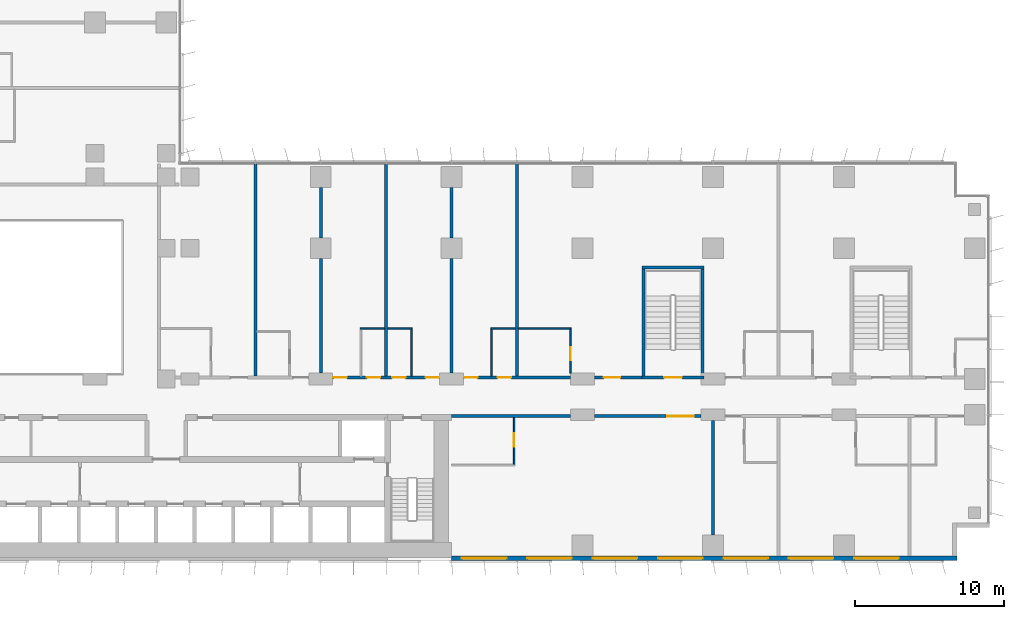
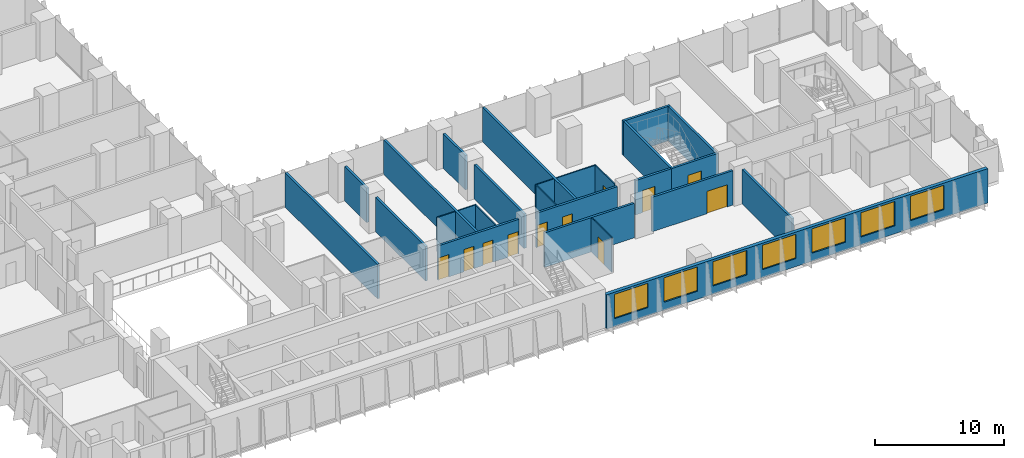
# One storey, part 14 of 23: 26 walls, 11 doors, 7 windows, 18 openings.
"""IFC4 building model written with IfcOpenShell, lengths in metres."""

from ifc_helpers import new_model, si_unit, direction, frame, frame_2d, origin, place, context, subcontext, project, spatial, rectangle, extrude, material, layer, layer_set, type_object, element, fill, save


model = new_model("IFC4")

# Units and contexts
model_context = context("Model", 3, precision=1e-05, world=origin(), true_north=direction((0.0, 1.0)))
body_context = subcontext(model_context, "Body", "Model", "MODEL_VIEW")
ifc_project = project(units=[si_unit("LENGTHUNIT", "METRE"), si_unit("AREAUNIT", "SQUARE_METRE"), si_unit("VOLUMEUNIT", "CUBIC_METRE"), si_unit("PLANEANGLEUNIT", "RADIAN"), si_unit("MASSUNIT", "GRAM", prefix="KILO")], contexts=[model_context])

# Site, building, storey
site_placement = place(None, origin())
site = spatial("IfcSite", under=ifc_project, at=site_placement, CompositionType="ELEMENT")
building_placement = place(site_placement, origin())
building = spatial("IfcBuilding", under=site, at=building_placement, Name="Kemantara Hotel Tower", CompositionType="ELEMENT")
storey_placement = place(building_placement, frame((0.0, 0.0, 67.300048828125)))
storey = spatial("IfcBuildingStorey", under=building, at=storey_placement, Name="L15", CompositionType="ELEMENT", Elevation=67.300048828125)

# Wall, openings, windows
ifc_material_1 = material(Name="Bronze anodised aluminium cladding on insulated steel stud wall", Category="steel")
ifc_layer_1 = layer(ifc_material_1, 0.300048828125)
ifc_layer_set_1 = layer_set([ifc_layer_1], Name="Bronze anodised aluminium cladding on insulated steel stud wall")
wall_type_1 = type_object("IfcWallType", Name="BRONZE METAL-CLAD EXTERNAL WALL 300", PredefinedType="STANDARD", material=ifc_layer_set_1)
wall_1_placement = place(storey_placement, frame((45.0, 0.14990234375, 0.0), z_axis=(0.0, 0.0, 1.0), x_axis=(1.0, 0.0, 0.0)))
wall_1 = element("IfcWall", 1, at=wall_1_placement, inside=storey, type_object=wall_type_1, Name="EXTERNAL WALL L15 T1-R01-3", PredefinedType="STANDARD", context=body_context, shape_type="SweptSolid", body=[
    extrude(rectangle(XDim=34.0, YDim=0.300048828125, at=frame_2d((17.0, 0.0))), origin(), (0.0, 0.0, 1.0), 3.25),
])
opening_1_placement = place(wall_1_placement, frame((0.699951171875, 0.0, 0.75)))
opening_1 = element("IfcOpeningElement", 2, at=opening_1_placement, cuts=wall_1, Name="Opening W1", PredefinedType="OPENING", context=body_context, shape_type="SweptSolid", body=[
    extrude(rectangle(XDim=3.0, YDim=2.300048828125, at=frame_2d((1.5, 1.14990234375))), frame((0.0, 0.159912109375, 0.0), z_axis=(0.0, -1.0, 0.0), x_axis=(1.0, 0.0, 0.0)), (0.0, 0.0, 1.0), 0.320068359375),
])
opening_2_placement = place(wall_1_placement, frame((5.10009765625, 0.0, 0.75)))
opening_2 = element("IfcOpeningElement", 3, at=opening_2_placement, cuts=wall_1, Name="Opening W1", PredefinedType="OPENING", context=body_context, shape_type="SweptSolid", body=[
    extrude(rectangle(XDim=3.0, YDim=2.300048828125, at=frame_2d((1.5, 1.14990234375))), frame((0.0, 0.159912109375, 0.0), z_axis=(0.0, -1.0, 0.0), x_axis=(1.0, 0.0, 0.0)), (0.0, 0.0, 1.0), 0.320068359375),
])
opening_3_placement = place(wall_1_placement, frame((9.5, 0.0, 0.75)))
opening_3 = element("IfcOpeningElement", 4, at=opening_3_placement, cuts=wall_1, Name="Opening W1", PredefinedType="OPENING", context=body_context, shape_type="SweptSolid", body=[
    extrude(rectangle(XDim=3.0, YDim=2.300048828125, at=frame_2d((1.5, 1.14990234375))), frame((0.0, 0.159912109375, 0.0), z_axis=(0.0, -1.0, 0.0), x_axis=(1.0, 0.0, 0.0)), (0.0, 0.0, 1.0), 0.320068359375),
])
opening_4_placement = place(wall_1_placement, frame((13.89990234375, 0.0, 0.75)))
opening_4 = element("IfcOpeningElement", 5, at=opening_4_placement, cuts=wall_1, Name="Opening W1", PredefinedType="OPENING", context=body_context, shape_type="SweptSolid", body=[
    extrude(rectangle(XDim=3.0, YDim=2.300048828125, at=frame_2d((1.5, 1.14990234375))), frame((0.0, 0.159912109375, 0.0), z_axis=(0.0, -1.0, 0.0), x_axis=(1.0, 0.0, 0.0)), (0.0, 0.0, 1.0), 0.320068359375),
])
opening_5_placement = place(wall_1_placement, frame((18.300048828125, 0.0, 0.75)))
opening_5 = element("IfcOpeningElement", 6, at=opening_5_placement, cuts=wall_1, Name="Opening W1", PredefinedType="OPENING", context=body_context, shape_type="SweptSolid", body=[
    extrude(rectangle(XDim=3.0, YDim=2.300048828125, at=frame_2d((1.5, 1.14990234375))), frame((0.0, 0.159912109375, 0.0), z_axis=(0.0, -1.0, 0.0), x_axis=(1.0, 0.0, 0.0)), (0.0, 0.0, 1.0), 0.320068359375),
])
opening_6_placement = place(wall_1_placement, frame((22.699951171875, 0.0, 0.75)))
opening_6 = element("IfcOpeningElement", 7, at=opening_6_placement, cuts=wall_1, Name="Opening W1", PredefinedType="OPENING", context=body_context, shape_type="SweptSolid", body=[
    extrude(rectangle(XDim=3.0, YDim=2.300048828125, at=frame_2d((1.5, 1.14990234375))), frame((0.0, 0.159912109375, 0.0), z_axis=(0.0, -1.0, 0.0), x_axis=(1.0, 0.0, 0.0)), (0.0, 0.0, 1.0), 0.320068359375),
])
opening_7_placement = place(wall_1_placement, frame((27.10009765625, 0.0, 0.75)))
opening_7 = element("IfcOpeningElement", 8, at=opening_7_placement, cuts=wall_1, Name="Opening W1", PredefinedType="OPENING", context=body_context, shape_type="SweptSolid", body=[
    extrude(rectangle(XDim=3.0, YDim=2.300048828125, at=frame_2d((1.5, 1.14990234375))), frame((0.0, 0.159912109375, 0.0), z_axis=(0.0, -1.0, 0.0), x_axis=(1.0, 0.0, 0.0)), (0.0, 0.0, 1.0), 0.320068359375),
])
ifc_material_2 = material(Name="Low-E tinted double insulated glass in bronze anodised aluminium frame", Category="aluminium")
window_type = type_object("IfcWindowType", Name="CHICAGO WINDOW, TRIPLE PANEL 3000x2300", PartitioningType="TRIPLE_PANEL_VERTICAL", PredefinedType="WINDOW", material=ifc_material_2)
window_1_placement = place(opening_1_placement, origin())
window_1 = element("IfcWindow", 9, at=window_1_placement, inside=storey, type_object=window_type, Name="CHICAGO WINDOW L15 T1-R01-450", OverallHeight=2.300048828125, OverallWidth=3.0, PartitioningType="SINGLE_PANEL", PredefinedType="WINDOW", context=body_context, shape_type="SweptSolid", body=[
    extrude(rectangle(XDim=3.0, YDim=2.300048828125, at=frame_2d((1.5, 1.14990234375))), frame((0.0, 0.030029296875, 0.0), z_axis=(0.0, -1.0, 0.0), x_axis=(1.0, 0.0, 0.0)), (0.0, 0.0, 1.0), 0.06005859375),
])
fill(opening_1, window_1)
window_2_placement = place(opening_2_placement, origin())
window_2 = element("IfcWindow", 10, at=window_2_placement, inside=storey, type_object=window_type, Name="CHICAGO WINDOW L15 T1-R01-494", OverallHeight=2.300048828125, OverallWidth=3.0, PartitioningType="SINGLE_PANEL", PredefinedType="WINDOW", context=body_context, shape_type="SweptSolid", body=[
    extrude(rectangle(XDim=3.0, YDim=2.300048828125, at=frame_2d((1.5, 1.14990234375))), frame((0.0, 0.030029296875, 0.0), z_axis=(0.0, -1.0, 0.0), x_axis=(1.0, 0.0, 0.0)), (0.0, 0.0, 1.0), 0.06005859375),
])
fill(opening_2, window_2)
window_3_placement = place(opening_3_placement, origin())
window_3 = element("IfcWindow", 11, at=window_3_placement, inside=storey, type_object=window_type, Name="CHICAGO WINDOW L15 T1-R01-538", OverallHeight=2.300048828125, OverallWidth=3.0, PartitioningType="SINGLE_PANEL", PredefinedType="WINDOW", context=body_context, shape_type="SweptSolid", body=[
    extrude(rectangle(XDim=3.0, YDim=2.300048828125, at=frame_2d((1.5, 1.14990234375))), frame((0.0, 0.030029296875, 0.0), z_axis=(0.0, -1.0, 0.0), x_axis=(1.0, 0.0, 0.0)), (0.0, 0.0, 1.0), 0.06005859375),
])
fill(opening_3, window_3)
window_4_placement = place(opening_4_placement, origin())
window_4 = element("IfcWindow", 12, at=window_4_placement, inside=storey, type_object=window_type, Name="CHICAGO WINDOW L15 T1-R01-582", OverallHeight=2.300048828125, OverallWidth=3.0, PartitioningType="SINGLE_PANEL", PredefinedType="WINDOW", context=body_context, shape_type="SweptSolid", body=[
    extrude(rectangle(XDim=3.0, YDim=2.300048828125, at=frame_2d((1.5, 1.14990234375))), frame((0.0, 0.030029296875, 0.0), z_axis=(0.0, -1.0, 0.0), x_axis=(1.0, 0.0, 0.0)), (0.0, 0.0, 1.0), 0.06005859375),
])
fill(opening_4, window_4)
window_5_placement = place(opening_5_placement, origin())
window_5 = element("IfcWindow", 13, at=window_5_placement, inside=storey, type_object=window_type, Name="CHICAGO WINDOW L15 T1-R01-626", OverallHeight=2.300048828125, OverallWidth=3.0, PartitioningType="SINGLE_PANEL", PredefinedType="WINDOW", context=body_context, shape_type="SweptSolid", body=[
    extrude(rectangle(XDim=3.0, YDim=2.300048828125, at=frame_2d((1.5, 1.14990234375))), frame((0.0, 0.030029296875, 0.0), z_axis=(0.0, -1.0, 0.0), x_axis=(1.0, 0.0, 0.0)), (0.0, 0.0, 1.0), 0.06005859375),
])
fill(opening_5, window_5)
window_6_placement = place(opening_6_placement, origin())
window_6 = element("IfcWindow", 14, at=window_6_placement, inside=storey, type_object=window_type, Name="CHICAGO WINDOW L15 T1-R01-670", OverallHeight=2.300048828125, OverallWidth=3.0, PartitioningType="SINGLE_PANEL", PredefinedType="WINDOW", context=body_context, shape_type="SweptSolid", body=[
    extrude(rectangle(XDim=3.0, YDim=2.300048828125, at=frame_2d((1.5, 1.14990234375))), frame((0.0, 0.030029296875, 0.0), z_axis=(0.0, -1.0, 0.0), x_axis=(1.0, 0.0, 0.0)), (0.0, 0.0, 1.0), 0.06005859375),
])
fill(opening_6, window_6)
window_7_placement = place(opening_7_placement, origin())
window_7 = element("IfcWindow", 15, at=window_7_placement, inside=storey, type_object=window_type, Name="CHICAGO WINDOW L15 T1-R01-714", OverallHeight=2.300048828125, OverallWidth=3.0, PartitioningType="SINGLE_PANEL", PredefinedType="WINDOW", context=body_context, shape_type="SweptSolid", body=[
    extrude(rectangle(XDim=3.0, YDim=2.300048828125, at=frame_2d((1.5, 1.14990234375))), frame((0.0, 0.030029296875, 0.0), z_axis=(0.0, -1.0, 0.0), x_axis=(1.0, 0.0, 0.0)), (0.0, 0.0, 1.0), 0.06005859375),
])
fill(opening_7, window_7)

# Wall
ifc_material_3 = material(Name="Gypsum board partition, steel studs and mineral wool, 200 mm", Category="steel")
ifc_layer_2 = layer(ifc_material_3, 0.199951171875)
ifc_layer_set_2 = layer_set([ifc_layer_2], Name="Gypsum board partition, steel studs and mineral wool, 200 mm")
wall_type_2 = type_object("IfcWallType", Name="CORRIDOR WALL 200", PredefinedType="PARTITIONING", material=ifc_layer_set_2)
wall_2_placement = place(storey_placement, frame((45.0, 9.699951171875, 0.0), z_axis=(0.0, 0.0, 1.0), x_axis=(1.0, 0.0, 0.0)))
element("IfcWall", 16, at=wall_2_placement, inside=storey, type_object=wall_type_2, Name="CORRIDOR WALL 200 001", PredefinedType="PARTITIONING", context=body_context, shape_type="SweptSolid", body=[
    extrude(rectangle(XDim=8.0, YDim=0.199951171875, at=frame_2d((4.0, 0.0))), origin(), (0.0, 0.0, 1.0), 3.25),
])

# Wall, opening, door
wall_3_placement = place(storey_placement, frame((61.7998046875, 9.699951171875, 0.0), z_axis=(0.0, 0.0, 1.0), x_axis=(-1.0, 0.0, 0.0)))
wall_3 = element("IfcWall", 17, at=wall_3_placement, inside=storey, type_object=wall_type_2, Name="CORRIDOR WALL 200 002", PredefinedType="PARTITIONING", context=body_context, shape_type="SweptSolid", body=[
    extrude(rectangle(XDim=7.19970703125, YDim=0.199951171875, at=frame_2d((3.599853515625, 0.0))), origin(), (0.0, 0.0, 1.0), 3.25),
])
opening_8_placement = place(wall_3_placement, frame((0.5, 0.0, 0.0)))
opening_8 = element("IfcOpeningElement", 18, at=opening_8_placement, cuts=wall_3, Name="Opening F05-001", PredefinedType="OPENING", context=body_context, shape_type="SweptSolid", body=[
    extrude(rectangle(XDim=1.800048828125, YDim=2.10009765625, at=frame_2d((0.89990234375, 1.050048828125))), frame((0.0, 0.10986328125, 0.0), z_axis=(0.0, -1.0, 0.0), x_axis=(1.0, 0.0, 0.0)), (0.0, 0.0, 1.0), 0.219970703125),
])
ifc_material_4 = material(Name="Hardwood veneer door leaf with steel frame", Category="steel")
door_type_1 = type_object("IfcDoorType", Name="AMENITY ROOM DOOR 1800 X 2100 FD30S", OperationType="NOTDEFINED", PredefinedType="DOOR", material=ifc_material_4)
door_1_placement = place(opening_8_placement, origin())
door_1 = element("IfcDoor", 19, at=door_1_placement, inside=storey, type_object=door_type_1, Name="AMENITY ROOM DOOR F05-001", OperationType="DOUBLE_DOOR_SINGLE_SWING", OverallHeight=2.10009765625, OverallWidth=1.800048828125, PredefinedType="DOOR", context=body_context, shape_type="SweptSolid", body=[
    extrude(rectangle(XDim=1.800048828125, YDim=2.10009765625, at=frame_2d((0.89990234375, 1.050048828125))), frame((0.0, 0.02490234375, 0.0), z_axis=(0.0, -1.0, 0.0), x_axis=(1.0, 0.0, 0.0)), (0.0, 0.0, 1.0), 0.050048828125),
])
fill(opening_8, door_1)

# Wall, openings, doors
wall_4_placement = place(storey_placement, frame((37.0, 12.300048828125, 0.0), z_axis=(0.0, 0.0, 1.0), x_axis=(1.0, 0.0, 0.0)))
wall_4 = element("IfcWall", 20, at=wall_4_placement, inside=storey, type_object=wall_type_2, Name="CORRIDOR WALL 200 011", PredefinedType="PARTITIONING", context=body_context, shape_type="SweptSolid", body=[
    extrude(rectangle(XDim=7.199951171875, YDim=0.199951171875, at=frame_2d((3.60009765625, 0.0))), origin(), (0.0, 0.0, 1.0), 3.25),
])
opening_9_placement = place(wall_4_placement, frame((0.0498046875, 0.0, 0.0)))
opening_9 = element("IfcOpeningElement", 21, at=opening_9_placement, cuts=wall_4, Name="Opening F05-013", PredefinedType="OPENING", context=body_context, shape_type="SweptSolid", body=[
    extrude(rectangle(XDim=0.89990234375, YDim=2.10009765625, at=frame_2d((0.449951171875, 1.050048828125))), frame((0.0, 0.10986328125, 0.0), z_axis=(0.0, -1.0, 0.0), x_axis=(1.0, 0.0, 0.0)), (0.0, 0.0, 1.0), 0.219970703125),
])
opening_10_placement = place(wall_4_placement, frame((2.2998046875, 0.0, 0.0)))
opening_10 = element("IfcOpeningElement", 22, at=opening_10_placement, cuts=wall_4, Name="Opening F05-014", PredefinedType="OPENING", context=body_context, shape_type="SweptSolid", body=[
    extrude(rectangle(XDim=0.89990234375, YDim=2.10009765625, at=frame_2d((0.449951171875, 1.050048828125))), frame((0.0, 0.10986328125, 0.0), z_axis=(0.0, -1.0, 0.0), x_axis=(1.0, 0.0, 0.0)), (0.0, 0.0, 1.0), 0.219970703125),
])
opening_11_placement = place(wall_4_placement, frame((6.25, 0.0, 0.0)))
opening_11 = element("IfcOpeningElement", 23, at=opening_11_placement, cuts=wall_4, Name="Opening F05-015", PredefinedType="OPENING", context=body_context, shape_type="SweptSolid", body=[
    extrude(rectangle(XDim=0.89990234375, YDim=2.10009765625, at=frame_2d((0.449951171875, 1.050048828125))), frame((0.0, 0.10986328125, 0.0), z_axis=(0.0, -1.0, 0.0), x_axis=(1.0, 0.0, 0.0)), (0.0, 0.0, 1.0), 0.219970703125),
])
opening_12_placement = place(wall_4_placement, frame((4.0, 0.0, 0.0)))
opening_12 = element("IfcOpeningElement", 24, at=opening_12_placement, cuts=wall_4, Name="Opening F05-016", PredefinedType="OPENING", context=body_context, shape_type="SweptSolid", body=[
    extrude(rectangle(XDim=0.89990234375, YDim=2.10009765625, at=frame_2d((0.449951171875, 1.050048828125))), frame((0.0, 0.10986328125, 0.0), z_axis=(0.0, -1.0, 0.0), x_axis=(1.0, 0.0, 0.0)), (0.0, 0.0, 1.0), 0.219970703125),
])
ifc_material_5 = material(Name="Steel door leaf with steel frame", Category="steel")
door_type_2 = type_object("IfcDoorType", Name="SERVICE ROOM DOOR 900 X 2100 FD60", OperationType="NOTDEFINED", PredefinedType="DOOR", material=ifc_material_5)
door_2_placement = place(opening_9_placement, origin())
door_2 = element("IfcDoor", 25, at=door_2_placement, inside=storey, type_object=door_type_2, Name="SERVICE ROOM DOOR F05-013", OperationType="SINGLE_SWING_LEFT", OverallHeight=2.10009765625, OverallWidth=0.89990234375, PredefinedType="DOOR", context=body_context, shape_type="SweptSolid", body=[
    extrude(rectangle(XDim=0.89990234375, YDim=2.10009765625, at=frame_2d((0.449951171875, 1.050048828125))), frame((0.0, 0.02490234375, 0.0), z_axis=(0.0, -1.0, 0.0), x_axis=(1.0, 0.0, 0.0)), (0.0, 0.0, 1.0), 0.050048828125),
])
fill(opening_9, door_2)
door_3_placement = place(opening_10_placement, origin())
door_3 = element("IfcDoor", 26, at=door_3_placement, inside=storey, type_object=door_type_2, Name="SERVICE ROOM DOOR F05-014", OperationType="SINGLE_SWING_RIGHT", OverallHeight=2.10009765625, OverallWidth=0.89990234375, PredefinedType="DOOR", context=body_context, shape_type="SweptSolid", body=[
    extrude(rectangle(XDim=0.89990234375, YDim=2.10009765625, at=frame_2d((0.449951171875, 1.050048828125))), frame((0.0, 0.02490234375, 0.0), z_axis=(0.0, -1.0, 0.0), x_axis=(1.0, 0.0, 0.0)), (0.0, 0.0, 1.0), 0.050048828125),
])
fill(opening_10, door_3)
door_4_placement = place(opening_11_placement, origin())
door_4 = element("IfcDoor", 27, at=door_4_placement, inside=storey, type_object=door_type_2, Name="SERVICE ROOM DOOR F05-015", OperationType="SINGLE_SWING_RIGHT", OverallHeight=2.10009765625, OverallWidth=0.89990234375, PredefinedType="DOOR", context=body_context, shape_type="SweptSolid", body=[
    extrude(rectangle(XDim=0.89990234375, YDim=2.10009765625, at=frame_2d((0.449951171875, 1.050048828125))), frame((0.0, 0.02490234375, 0.0), z_axis=(0.0, -1.0, 0.0), x_axis=(1.0, 0.0, 0.0)), (0.0, 0.0, 1.0), 0.050048828125),
])
fill(opening_11, door_4)
door_5_placement = place(opening_12_placement, origin())
door_5 = element("IfcDoor", 28, at=door_5_placement, inside=storey, type_object=door_type_2, Name="SERVICE ROOM DOOR F05-016", OperationType="SINGLE_SWING_LEFT", OverallHeight=2.10009765625, OverallWidth=0.89990234375, PredefinedType="DOOR", context=body_context, shape_type="SweptSolid", body=[
    extrude(rectangle(XDim=0.89990234375, YDim=2.10009765625, at=frame_2d((0.449951171875, 1.050048828125))), frame((0.0, 0.02490234375, 0.0), z_axis=(0.0, -1.0, 0.0), x_axis=(1.0, 0.0, 0.0)), (0.0, 0.0, 1.0), 0.050048828125),
])
fill(opening_12, door_5)

wall_5_placement = place(storey_placement, frame((45.800048828125, 12.300048828125, 0.0), z_axis=(0.0, 0.0, 1.0), x_axis=(1.0, 0.0, 0.0)))
wall_5 = element("IfcWall", 29, at=wall_5_placement, inside=storey, type_object=wall_type_2, Name="CORRIDOR WALL 200 012", PredefinedType="PARTITIONING", context=body_context, shape_type="SweptSolid", body=[
    extrude(rectangle(XDim=7.199951171875, YDim=0.199951171875, at=frame_2d((3.60009765625, 0.0))), origin(), (0.0, 0.0, 1.0), 3.25),
])
opening_13_placement = place(wall_5_placement, frame((0.0498046875, 0.0, 0.0)))
opening_13 = element("IfcOpeningElement", 30, at=opening_13_placement, cuts=wall_5, Name="Opening F05-017", PredefinedType="OPENING", context=body_context, shape_type="SweptSolid", body=[
    extrude(rectangle(XDim=0.89990234375, YDim=2.10009765625, at=frame_2d((0.449951171875, 1.050048828125))), frame((0.0, 0.10986328125, 0.0), z_axis=(0.0, -1.0, 0.0), x_axis=(1.0, 0.0, 0.0)), (0.0, 0.0, 1.0), 0.219970703125),
])
opening_14_placement = place(wall_5_placement, frame((2.2998046875, 0.0, 0.0)))
opening_14 = element("IfcOpeningElement", 31, at=opening_14_placement, cuts=wall_5, Name="Opening F05-018", PredefinedType="OPENING", context=body_context, shape_type="SweptSolid", body=[
    extrude(rectangle(XDim=0.89990234375, YDim=2.10009765625, at=frame_2d((0.449951171875, 1.050048828125))), frame((0.0, 0.10986328125, 0.0), z_axis=(0.0, -1.0, 0.0), x_axis=(1.0, 0.0, 0.0)), (0.0, 0.0, 1.0), 0.219970703125),
])
door_6_placement = place(opening_13_placement, origin())
door_6 = element("IfcDoor", 32, at=door_6_placement, inside=storey, type_object=door_type_2, Name="SERVICE ROOM DOOR F05-017", OperationType="SINGLE_SWING_LEFT", OverallHeight=2.10009765625, OverallWidth=0.89990234375, PredefinedType="DOOR", context=body_context, shape_type="SweptSolid", body=[
    extrude(rectangle(XDim=0.89990234375, YDim=2.10009765625, at=frame_2d((0.449951171875, 1.050048828125))), frame((0.0, 0.02490234375, 0.0), z_axis=(0.0, -1.0, 0.0), x_axis=(1.0, 0.0, 0.0)), (0.0, 0.0, 1.0), 0.050048828125),
])
fill(opening_13, door_6)
door_7_placement = place(opening_14_placement, origin())
door_7 = element("IfcDoor", 33, at=door_7_placement, inside=storey, type_object=door_type_2, Name="SERVICE ROOM DOOR F05-018", OperationType="SINGLE_SWING_RIGHT", OverallHeight=2.10009765625, OverallWidth=0.89990234375, PredefinedType="DOOR", context=body_context, shape_type="SweptSolid", body=[
    extrude(rectangle(XDim=0.89990234375, YDim=2.10009765625, at=frame_2d((0.449951171875, 1.050048828125))), frame((0.0, 0.02490234375, 0.0), z_axis=(0.0, -1.0, 0.0), x_axis=(1.0, 0.0, 0.0)), (0.0, 0.0, 1.0), 0.050048828125),
])
fill(opening_14, door_7)

# Wall, opening, door
wall_6_placement = place(storey_placement, frame((54.60009765625, 12.300048828125, 0.0), z_axis=(0.0, 0.0, 1.0), x_axis=(1.0, 0.0, 0.0)))
wall_6 = element("IfcWall", 34, at=wall_6_placement, inside=storey, type_object=wall_type_2, Name="CORRIDOR WALL 200 013", PredefinedType="PARTITIONING", context=body_context, shape_type="SweptSolid", body=[
    extrude(rectangle(XDim=3.199951171875, YDim=0.199951171875, at=frame_2d((1.60009765625, 0.0))), origin(), (0.0, 0.0, 1.0), 3.25),
])
opening_15_placement = place(wall_6_placement, frame((0.64990234375, 0.0, 0.0)))
opening_15 = element("IfcOpeningElement", 35, at=opening_15_placement, cuts=wall_6, Name="Opening F05-019", PredefinedType="OPENING", context=body_context, shape_type="SweptSolid", body=[
    extrude(rectangle(XDim=1.10009765625, YDim=2.10009765625, at=frame_2d((0.550048828125, 1.050048828125))), frame((0.0, 0.10986328125, 0.0), z_axis=(0.0, -1.0, 0.0), x_axis=(1.0, 0.0, 0.0)), (0.0, 0.0, 1.0), 0.219970703125),
])
door_type_3 = type_object("IfcDoorType", Name="SUITE ENTRANCE DOOR 1100 X 2100 FD30S", OperationType="NOTDEFINED", PredefinedType="DOOR", material=ifc_material_4)
door_8_placement = place(opening_15_placement, origin())
door_8 = element("IfcDoor", 36, at=door_8_placement, inside=storey, type_object=door_type_3, Name="SUITE ENTRANCE DOOR F05-019", OperationType="SINGLE_SWING_RIGHT", OverallHeight=2.10009765625, OverallWidth=1.10009765625, PredefinedType="DOOR", context=body_context, shape_type="SweptSolid", body=[
    extrude(rectangle(XDim=1.10009765625, YDim=2.10009765625, at=frame_2d((0.550048828125, 1.050048828125))), frame((0.0, 0.02490234375, 0.0), z_axis=(0.0, -1.0, 0.0), x_axis=(1.0, 0.0, 0.0)), (0.0, 0.0, 1.0), 0.050048828125),
])
fill(opening_15, door_8)

ifc_material_6 = material(Name="Concrete fc 40 MPa", Category="concrete")
ifc_layer_3 = layer(ifc_material_6, 0.199951171875)
ifc_layer_set_3 = layer_set([ifc_layer_3], Name="Concrete fc 40 MPa")
wall_type_3 = type_object("IfcWallType", Name="Concrete stair wall 200 mm", PredefinedType="SHEAR", material=ifc_layer_set_3)
wall_7_placement = place(storey_placement, frame((57.800048828125, 12.300048828125, 0.0), z_axis=(0.0, 0.0, 1.0), x_axis=(1.0, 0.0, 0.0)))
wall_7 = element("IfcWall", 37, at=wall_7_placement, inside=storey, type_object=wall_type_3, Name="Stair ST3 enclosure wall with door", PredefinedType="SHEAR", context=body_context, shape_type="SweptSolid", body=[
    extrude(rectangle(XDim=4.199951171875, YDim=0.199951171875, at=frame_2d((2.10009765625, 0.0))), origin(), (0.0, 0.0, 1.0), 3.25),
])
opening_16_placement = place(wall_7_placement, frame((1.5, 0.0, 0.0)))
opening_16 = element("IfcOpeningElement", 38, at=opening_16_placement, cuts=wall_7, Name="Opening ST3-C", PredefinedType="OPENING", context=body_context, shape_type="SweptSolid", body=[
    extrude(rectangle(XDim=1.199951171875, YDim=2.10009765625, at=frame_2d((0.60009765625, 1.050048828125))), frame((0.0, 0.10986328125, 0.0), z_axis=(0.0, -1.0, 0.0), x_axis=(1.0, 0.0, 0.0)), (0.0, 0.0, 1.0), 0.219970703125),
])
ifc_material_7 = material(Name="Steel fire door", Category="steel")
door_type_4 = type_object("IfcDoorType", Name="Fire door FD90 1200 x 2100", OperationType="NOTDEFINED", PredefinedType="DOOR", material=ifc_material_7)
door_9_placement = place(opening_16_placement, origin())
door_9 = element("IfcDoor", 39, at=door_9_placement, inside=storey, type_object=door_type_4, Name="Stair ST3 door", OperationType="SINGLE_SWING_RIGHT", OverallHeight=2.10009765625, OverallWidth=1.199951171875, PredefinedType="DOOR", context=body_context, shape_type="SweptSolid", body=[
    extrude(rectangle(XDim=1.199951171875, YDim=2.10009765625, at=frame_2d((0.60009765625, 1.050048828125))), frame((0.0, 0.02490234375, 0.0), z_axis=(0.0, -1.0, 0.0), x_axis=(1.0, 0.0, 0.0)), (0.0, 0.0, 1.0), 0.050048828125),
])
fill(opening_16, door_9)

# Walls
wall_8_placement = place(storey_placement, frame((57.800048828125, 19.699951171875, 0.0), z_axis=(0.0, 0.0, 1.0), x_axis=(1.0, 0.0, 0.0)))
element("IfcWall", 40, at=wall_8_placement, inside=storey, type_object=wall_type_3, Name="Stair ST3 enclosure wall N", PredefinedType="SHEAR", context=body_context, shape_type="SweptSolid", body=[
    extrude(rectangle(XDim=4.199951171875, YDim=0.199951171875, at=frame_2d((2.10009765625, 0.0))), origin(), (0.0, 0.0, 1.0), 3.25),
])
for number, where, z_axis, x_axis, name in (
    (41, (57.89990234375, 12.39990234375, 0.0), (0.0, 0.0, 1.0), (0.0, 1.0, 0.0), "Stair ST3 enclosure wall W"),
    (42, (61.89990234375, 12.39990234375, 0.0), (0.0, 0.0, 1.0), (0.0, 1.0, 0.0), "Stair ST3 enclosure wall E"),
):
    element("IfcWall", number, at=place(storey_placement, frame(where, z_axis=z_axis, x_axis=x_axis)), inside=storey, type_object=wall_type_3, Name=name, PredefinedType="SHEAR", context=body_context, shape_type="SweptSolid", body=[
        extrude(rectangle(XDim=7.2001953125, YDim=0.199951171875, at=frame_2d((3.60009765625, 0.0))), origin(), (0.0, 0.0, 1.0), 3.25),
    ])
ifc_layer_4 = layer(ifc_material_3, 0.199951171875)
ifc_layer_set_4 = layer_set([ifc_layer_4], Name="Gypsum board partition, steel studs and mineral wool, 200 mm")
wall_type_4 = type_object("IfcWallType", Name="GUEST ROOM PARTY WALL 200", PredefinedType="PARTITIONING", material=ifc_layer_set_4)
wall_9_placement = place(storey_placement, frame((62.60009765625, 1.7001953125, 0.0), z_axis=(0.0, 0.0, 1.0), x_axis=(0.0, 1.0, 0.0)))
element("IfcWall", 43, at=wall_9_placement, inside=storey, type_object=wall_type_4, Name="GUEST ROOM PARTY WALL 200 005", PredefinedType="PARTITIONING", context=body_context, shape_type="SweptSolid", body=[
    extrude(rectangle(XDim=7.69970703125, YDim=0.199951171875, at=frame_2d((3.849853515625, 0.0))), origin(), (0.0, 0.0, 1.0), 3.25),
])
wall_10_placement = place(storey_placement, frame((31.800048828125, 12.39990234375, 0.0), z_axis=(0.0, 0.0, 1.0), x_axis=(0.0, 1.0, 0.0)))
element("IfcWall", 44, at=wall_10_placement, inside=storey, type_object=wall_type_4, Name="GUEST ROOM PARTY WALL 200 019", PredefinedType="PARTITIONING", context=body_context, shape_type="SweptSolid", body=[
    extrude(rectangle(XDim=14.27001953125, YDim=0.199951171875, at=frame_2d((7.135009765625, 0.0))), origin(), (0.0, 0.0, 1.0), 3.25),
])
wall_11_placement = place(storey_placement, frame((36.199951171875, 12.60009765625, 0.0), z_axis=(0.0, 0.0, 1.0), x_axis=(0.0, 1.0, 0.0)))
element("IfcWall", 45, at=wall_11_placement, inside=storey, type_object=wall_type_4, Name="GUEST ROOM PARTY WALL 200 020", PredefinedType="PARTITIONING", context=body_context, shape_type="SweptSolid", body=[
    extrude(rectangle(XDim=7.69970703125, YDim=0.199951171875, at=frame_2d((3.849853515625, 0.0))), origin(), (0.0, 0.0, 1.0), 3.25),
])
wall_12_placement = place(storey_placement, frame((36.199951171875, 21.7001953125, 0.0), z_axis=(0.0, 0.0, 1.0), x_axis=(0.0, 1.0, 0.0)))
element("IfcWall", 46, at=wall_12_placement, inside=storey, type_object=wall_type_4, Name="GUEST ROOM PARTY WALL 200 021", PredefinedType="PARTITIONING", context=body_context, shape_type="SweptSolid", body=[
    extrude(rectangle(XDim=3.399658203125, YDim=0.199951171875, at=frame_2d((1.69970703125, 0.0))), origin(), (0.0, 0.0, 1.0), 3.25),
])
wall_13_placement = place(storey_placement, frame((40.60009765625, 12.39990234375, 0.0), z_axis=(0.0, 0.0, 1.0), x_axis=(0.0, 1.0, 0.0)))
element("IfcWall", 47, at=wall_13_placement, inside=storey, type_object=wall_type_4, Name="GUEST ROOM PARTY WALL 200 022", PredefinedType="PARTITIONING", context=body_context, shape_type="SweptSolid", body=[
    extrude(rectangle(XDim=14.27001953125, YDim=0.199951171875, at=frame_2d((7.135009765625, 0.0))), origin(), (0.0, 0.0, 1.0), 3.25),
])
wall_14_placement = place(storey_placement, frame((45.0, 12.60009765625, 0.0), z_axis=(0.0, 0.0, 1.0), x_axis=(0.0, 1.0, 0.0)))
element("IfcWall", 48, at=wall_14_placement, inside=storey, type_object=wall_type_4, Name="GUEST ROOM PARTY WALL 200 023", PredefinedType="PARTITIONING", context=body_context, shape_type="SweptSolid", body=[
    extrude(rectangle(XDim=7.69970703125, YDim=0.199951171875, at=frame_2d((3.849853515625, 0.0))), origin(), (0.0, 0.0, 1.0), 3.25),
])
wall_15_placement = place(storey_placement, frame((45.0, 21.7001953125, 0.0), z_axis=(0.0, 0.0, 1.0), x_axis=(0.0, 1.0, 0.0)))
element("IfcWall", 49, at=wall_15_placement, inside=storey, type_object=wall_type_4, Name="GUEST ROOM PARTY WALL 200 024", PredefinedType="PARTITIONING", context=body_context, shape_type="SweptSolid", body=[
    extrude(rectangle(XDim=3.399658203125, YDim=0.199951171875, at=frame_2d((1.69970703125, 0.0))), origin(), (0.0, 0.0, 1.0), 3.25),
])
wall_16_placement = place(storey_placement, frame((49.39990234375, 12.39990234375, 0.0), z_axis=(0.0, 0.0, 1.0), x_axis=(0.0, 1.0, 0.0)))
element("IfcWall", 50, at=wall_16_placement, inside=storey, type_object=wall_type_4, Name="GUEST ROOM PARTY WALL 200 025", PredefinedType="PARTITIONING", context=body_context, shape_type="SweptSolid", body=[
    extrude(rectangle(XDim=14.27001953125, YDim=0.199951171875, at=frame_2d((7.135009765625, 0.0))), origin(), (0.0, 0.0, 1.0), 3.25),
])

# Wall, opening, door
ifc_material_8 = material(Name="Gypsum board partition on steel studs, 100 mm", Category="steel")
ifc_layer_5 = layer(ifc_material_8, 0.10009765625)
ifc_layer_set_5 = layer_set([ifc_layer_5], Name="Gypsum board partition on steel studs, 100 mm")
wall_type_5 = type_object("IfcWallType", Name="ROOM PARTITION 100", PredefinedType="PARTITIONING", material=ifc_layer_set_5)
wall_17_placement = place(storey_placement, frame((49.199951171875, 6.449951171875, 0.0), z_axis=(0.0, 0.0, 1.0), x_axis=(0.0, 1.0, 0.0)))
wall_17 = element("IfcWall", 51, at=wall_17_placement, inside=storey, type_object=wall_type_5, Name="ROOM PARTITION 100 068", PredefinedType="PARTITIONING", context=body_context, shape_type="SweptSolid", body=[
    extrude(rectangle(XDim=3.150146484375, YDim=0.10009765625, at=frame_2d((1.5751953125, 0.0))), origin(), (0.0, 0.0, 1.0), 3.25),
])
opening_17_placement = place(wall_17_placement, frame((1.199951171875, 0.0, 0.0)))
opening_17 = element("IfcOpeningElement", 52, at=opening_17_placement, cuts=wall_17, Name="Opening F05-002", PredefinedType="OPENING", context=body_context, shape_type="SweptSolid", body=[
    extrude(rectangle(XDim=0.89990234375, YDim=2.10009765625, at=frame_2d((0.449951171875, 1.050048828125))), frame((0.0, 0.06005859375, 0.0), z_axis=(0.0, -1.0, 0.0), x_axis=(1.0, 0.0, 0.0)), (0.0, 0.0, 1.0), 0.1201171875),
])
door_type_5 = type_object("IfcDoorType", Name="INTERNAL DOOR 900 X 2100", OperationType="NOTDEFINED", PredefinedType="DOOR", material=ifc_material_4)
door_10_placement = place(opening_17_placement, origin())
door_10 = element("IfcDoor", 53, at=door_10_placement, inside=storey, type_object=door_type_5, Name="INTERNAL DOOR F05-002", OperationType="SINGLE_SWING_RIGHT", OverallHeight=2.10009765625, OverallWidth=0.89990234375, PredefinedType="DOOR", context=body_context, shape_type="SweptSolid", body=[
    extrude(rectangle(XDim=0.89990234375, YDim=2.10009765625, at=frame_2d((0.449951171875, 1.050048828125))), frame((0.0, 0.02490234375, 0.0), z_axis=(0.0, -1.0, 0.0), x_axis=(1.0, 0.0, 0.0)), (0.0, 0.0, 1.0), 0.050048828125),
])
fill(opening_17, door_10)

# Walls
wall_18_placement = place(storey_placement, frame((38.85009765625, 15.60009765625, 0.0), z_axis=(0.0, 0.0, 1.0), x_axis=(1.0, 0.0, 0.0)))
element("IfcWall", 54, at=wall_18_placement, inside=storey, type_object=wall_type_5, Name="ROOM PARTITION 100 075", PredefinedType="PARTITIONING", context=body_context, shape_type="SweptSolid", body=[
    extrude(rectangle(XDim=1.64990234375, YDim=0.10009765625, at=frame_2d((0.824951171875, 0.0))), origin(), (0.0, 0.0, 1.0), 3.25),
])
for number, where, z_axis, x_axis, name in (
    (55, (40.699951171875, 15.60009765625, 0.0), (0.0, 0.0, 1.0), (1.0, 0.0, 0.0), "ROOM PARTITION 100 076"),
    (56, (47.64990234375, 15.60009765625, 0.0), (0.0, 0.0, 1.0), (1.0, 0.0, 0.0), "ROOM PARTITION 100 077"),
):
    element("IfcWall", number, at=place(storey_placement, frame(where, z_axis=z_axis, x_axis=x_axis)), inside=storey, type_object=wall_type_5, Name=name, PredefinedType="PARTITIONING", context=body_context, shape_type="SweptSolid", body=[
        extrude(rectangle(XDim=1.650146484375, YDim=0.10009765625, at=frame_2d((0.8251953125, 0.0))), origin(), (0.0, 0.0, 1.0), 3.25),
    ])
wall_19_placement = place(storey_placement, frame((49.5, 15.60009765625, 0.0), z_axis=(0.0, 0.0, 1.0), x_axis=(1.0, 0.0, 0.0)))
element("IfcWall", 57, at=wall_19_placement, inside=storey, type_object=wall_type_5, Name="ROOM PARTITION 100 078", PredefinedType="PARTITIONING", context=body_context, shape_type="SweptSolid", body=[
    extrude(rectangle(XDim=3.550048828125, YDim=0.10009765625, at=frame_2d((1.77490234375, 0.0))), origin(), (0.0, 0.0, 1.0), 3.25),
])
for number, where, z_axis, x_axis, name in (
    (58, (42.300048828125, 12.39990234375, 0.0), (0.0, 0.0, 1.0), (0.0, 1.0, 0.0), "ROOM PARTITION 100 085"),
    (59, (47.699951171875, 12.39990234375, 0.0), (0.0, 0.0, 1.0), (0.0, 1.0, 0.0), "ROOM PARTITION 100 086"),
):
    element("IfcWall", number, at=place(storey_placement, frame(where, z_axis=z_axis, x_axis=x_axis)), inside=storey, type_object=wall_type_5, Name=name, PredefinedType="PARTITIONING", context=body_context, shape_type="SweptSolid", body=[
        extrude(rectangle(XDim=3.150146484375, YDim=0.10009765625, at=frame_2d((1.5751953125, 0.0))), origin(), (0.0, 0.0, 1.0), 3.25),
    ])

# Wall, opening, door
wall_20_placement = place(storey_placement, frame((53.0, 12.60009765625, 0.0), z_axis=(0.0, 0.0, 1.0), x_axis=(0.0, 1.0, 0.0)))
wall_20 = element("IfcWall", 60, at=wall_20_placement, inside=storey, type_object=wall_type_5, Name="ROOM PARTITION 100 087", PredefinedType="PARTITIONING", context=body_context, shape_type="SweptSolid", body=[
    extrude(rectangle(XDim=2.949951171875, YDim=0.10009765625, at=frame_2d((1.47509765625, 0.0))), origin(), (0.0, 0.0, 1.0), 3.25),
])
opening_18_placement = place(wall_20_placement, frame((0.849853515625, 0.0, 0.0)))
opening_18 = element("IfcOpeningElement", 61, at=opening_18_placement, cuts=wall_20, Name="Opening F05-020", PredefinedType="OPENING", context=body_context, shape_type="SweptSolid", body=[
    extrude(rectangle(XDim=0.89990234375, YDim=2.10009765625, at=frame_2d((0.449951171875, 1.050048828125))), frame((0.0, 0.06005859375, 0.0), z_axis=(0.0, -1.0, 0.0), x_axis=(1.0, 0.0, 0.0)), (0.0, 0.0, 1.0), 0.1201171875),
])
door_type_6 = type_object("IfcDoorType", Name="BATHROOM DOOR 900 X 2100", OperationType="NOTDEFINED", PredefinedType="DOOR", material=ifc_material_4)
door_11_placement = place(opening_18_placement, origin())
door_11 = element("IfcDoor", 62, at=door_11_placement, inside=storey, type_object=door_type_6, Name="BATHROOM DOOR F05-020", OperationType="SINGLE_SWING_LEFT", OverallHeight=2.10009765625, OverallWidth=0.89990234375, PredefinedType="DOOR", context=body_context, shape_type="SweptSolid", body=[
    extrude(rectangle(XDim=0.89990234375, YDim=2.10009765625, at=frame_2d((0.449951171875, 1.050048828125))), frame((0.0, 0.02490234375, 0.0), z_axis=(0.0, -1.0, 0.0), x_axis=(1.0, 0.0, 0.0)), (0.0, 0.0, 1.0), 0.050048828125),
])
fill(opening_18, door_11)

save(model, "model.ifc")
